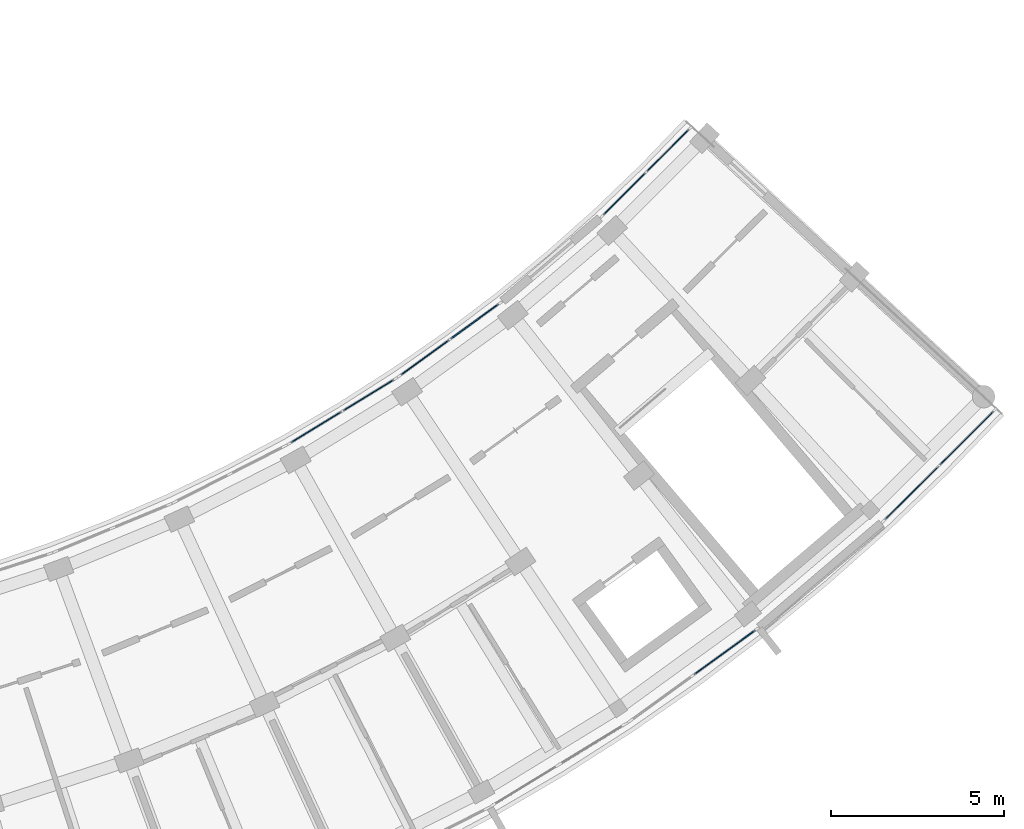
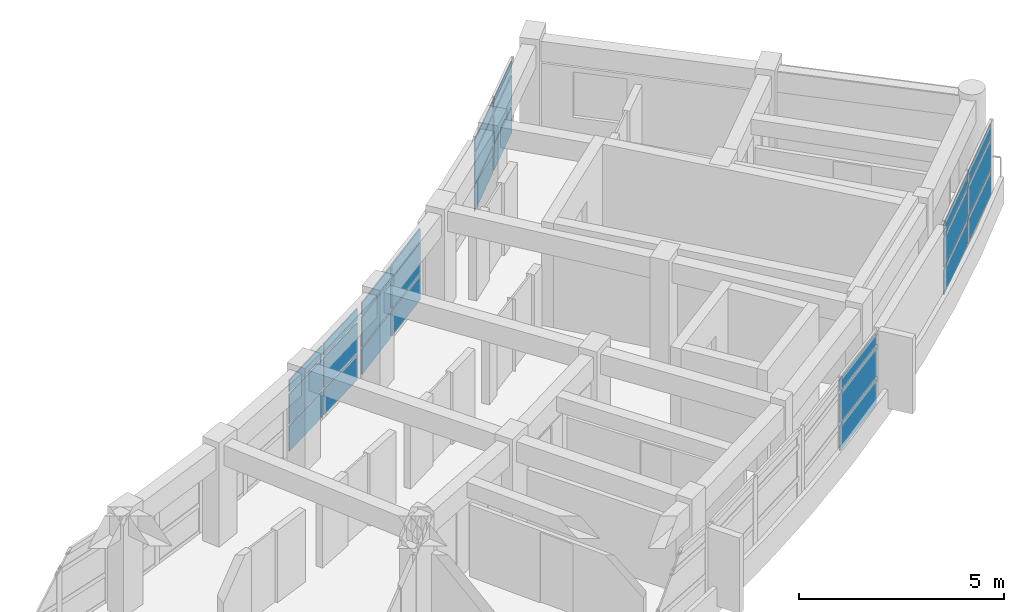
# One storey, part 26 of 54: 27 plates, 5 elements without a shape of their own.
"""IFC4 building model written with IfcOpenShell, lengths in metres."""

from ifc_helpers import new_model, si_unit, direction, frame, origin, origin_2d, place, context, subcontext, project, spatial, rectangle, extrude, material, layer, layer_set, type_object, element, aggregate, save


model = new_model("IFC4")

# Units and contexts
model_context = context("Model", 3, precision=1e-05, world=origin(), true_north=direction((0.0, 1.0)))
body_context = subcontext(model_context, "Body", "Model", "MODEL_VIEW")
ifc_project = project(units=[si_unit("LENGTHUNIT", "METRE"), si_unit("AREAUNIT", "SQUARE_METRE"), si_unit("VOLUMEUNIT", "CUBIC_METRE"), si_unit("PLANEANGLEUNIT", "RADIAN"), si_unit("MASSUNIT", "GRAM", prefix="KILO")], contexts=[model_context])

# Site, building, storey
site_placement = place(None, origin())
site = spatial("IfcSite", under=ifc_project, at=site_placement, CompositionType="ELEMENT")
building_placement = place(site_placement, origin())
building = spatial("IfcBuilding", under=site, at=building_placement, Name="Zimvara Arc Housing Community", CompositionType="ELEMENT")
storey_placement = place(building_placement, frame((0.0, 0.0, 23.60009765625)))
storey = spatial("IfcBuildingStorey", under=building, at=storey_placement, Name="L07", CompositionType="ELEMENT", Elevation=23.60009765625)

# Curtain wall, plates
ifc_material_1 = material(Name="Anodised Aluminium AW-6063", Category="aluminium")
curtain_wall_type_1 = type_object("IfcCurtainWallType", Name="CW-SYS-04", PredefinedType="USERDEFINED", material=ifc_material_1)
curtain_wall_1_placement = place(storey_placement, origin())
curtain_wall_1 = element("IfcCurtainWall", 1, at=curtain_wall_1_placement, inside=storey, type_object=curtain_wall_type_1, Name="cw:blkD:L07:in:b7", ObjectType="CURTAIN WALL", PredefinedType="USERDEFINED")
ifc_material_2 = material(Name="Pale-Gold Anodised Aluminium Spandrel Panel", Category="aluminium")
ifc_layer_1 = layer(ifc_material_2, 0.035888671875)
ifc_layer_set_1 = layer_set([ifc_layer_1], Name="Pale-Gold Anodised Aluminium Spandrel Panel")
plate_type_1 = type_object("IfcPlateType", Name="CWP-GLD-36", PredefinedType="CURTAIN_PANEL", material=ifc_layer_set_1)
plate_1_placement = place(storey_placement, frame((153.081787109375, 70.982421875, 0.06494140625), z_axis=(0.0, 0.0, 1.0), x_axis=(0.809529791362, 0.587078799564, 0.0)))
plate_1 = element("IfcPlate", 2, at=plate_1_placement, type_object=plate_type_1, Name="CW04 panel 1.1", PredefinedType="CURTAIN_PANEL", context=body_context, shape_type="SweptSolid", body=[
    extrude(rectangle(XDim=1.7041015625, YDim=0.035888671875, at=origin_2d()), origin(), (0.0, 0.0, 1.0), 0.75244140625),
])
plate_2_placement = place(storey_placement, frame((153.081787109375, 70.982421875, 0.88232421875), z_axis=(0.0, 0.0, 1.0), x_axis=(0.809529791362, 0.587078799564, 0.0)))
plate_2 = element("IfcPlate", 3, at=plate_2_placement, type_object=plate_type_1, Name="CW04 panel 1.2", PredefinedType="CURTAIN_PANEL", context=body_context, shape_type="SweptSolid", body=[
    extrude(rectangle(XDim=1.7041015625, YDim=0.035888671875, at=origin_2d()), origin(), (0.0, 0.0, 1.0), 0.885009765625),
])
plate_3_placement = place(storey_placement, frame((153.081787109375, 70.982421875, 1.832275390625), z_axis=(0.0, 0.0, 1.0), x_axis=(0.809529791362, 0.587078799564, 0.0)))
plate_3 = element("IfcPlate", 4, at=plate_3_placement, type_object=plate_type_1, Name="CW04 panel 1.3", PredefinedType="CURTAIN_PANEL", context=body_context, shape_type="SweptSolid", body=[
    extrude(rectangle(XDim=1.7041015625, YDim=0.035888671875, at=origin_2d()), origin(), (0.0, 0.0, 1.0), 0.3525390625),
])
plate_4_placement = place(storey_placement, frame((154.513916015625, 72.02099609375, 0.06494140625), z_axis=(0.0, 0.0, 1.0), x_axis=(0.809529791362, 0.587078799564, 0.0)))
plate_4 = element("IfcPlate", 5, at=plate_4_placement, type_object=plate_type_1, Name="CW04 panel 2.1", PredefinedType="CURTAIN_PANEL", context=body_context, shape_type="SweptSolid", body=[
    extrude(rectangle(XDim=1.7041015625, YDim=0.035888671875, at=origin_2d()), origin(), (0.0, 0.0, 1.0), 0.75244140625),
])
plate_5_placement = place(storey_placement, frame((154.513916015625, 72.02099609375, 0.88232421875), z_axis=(0.0, 0.0, 1.0), x_axis=(0.809529791362, 0.587078799564, 0.0)))
plate_5 = element("IfcPlate", 6, at=plate_5_placement, type_object=plate_type_1, Name="CW04 panel 2.2", PredefinedType="CURTAIN_PANEL", context=body_context, shape_type="SweptSolid", body=[
    extrude(rectangle(XDim=1.7041015625, YDim=0.035888671875, at=origin_2d()), origin(), (0.0, 0.0, 1.0), 0.885009765625),
])
plate_6_placement = place(storey_placement, frame((154.513916015625, 72.02099609375, 1.832275390625), z_axis=(0.0, 0.0, 1.0), x_axis=(0.809529791362, 0.587078799564, 0.0)))
plate_6 = element("IfcPlate", 7, at=plate_6_placement, type_object=plate_type_1, Name="CW04 panel 2.3", PredefinedType="CURTAIN_PANEL", context=body_context, shape_type="SweptSolid", body=[
    extrude(rectangle(XDim=1.7041015625, YDim=0.035888671875, at=origin_2d()), origin(), (0.0, 0.0, 1.0), 0.3525390625),
])
aggregate(curtain_wall_1, [plate_1, plate_2, plate_3, plate_4, plate_5, plate_6])

ifc_material_3 = material(Name="Anodised Aluminium AW-6063", Category="aluminium")
curtain_wall_type_2 = type_object("IfcCurtainWallType", Name="CW-SYS-05", PredefinedType="USERDEFINED", material=ifc_material_3)
curtain_wall_2_placement = place(storey_placement, origin())
curtain_wall_2 = element("IfcCurtainWall", 8, at=curtain_wall_2_placement, inside=storey, type_object=curtain_wall_type_2, Name="cw:blkD:L07:out:b9", ObjectType="CURTAIN WALL", PredefinedType="USERDEFINED")
ifc_material_4 = material(Name="Solar Control Low-E Double Glazing", Category="glass")
ifc_layer_2 = layer(ifc_material_4, 0.02392578125)
ifc_layer_set_2 = layer_set([ifc_layer_2], Name="Solar Control Low-E Double Glazing")
plate_type_2 = type_object("IfcPlateType", Name="CWP-GLZ-24", PredefinedType="CURTAIN_PANEL", material=ifc_layer_set_2)
plate_7_placement = place(storey_placement, frame((167.106689453125, 67.076904296875, 0.06494140625), z_axis=(0.0, 0.0, 1.0), x_axis=(0.707724012233, 0.706489010891, 0.0)))
plate_7 = element("IfcPlate", 9, at=plate_7_placement, type_object=plate_type_2, Name="CW05 panel 1.1", PredefinedType="CURTAIN_PANEL", context=body_context, shape_type="SweptSolid", body=[
    extrude(rectangle(XDim=2.173828125, YDim=0.02392578125, at=origin_2d()), origin(), (0.0, 0.0, 1.0), 0.75244140625),
])
plate_8_placement = place(storey_placement, frame((167.106689453125, 67.076904296875, 0.88232421875), z_axis=(0.0, 0.0, 1.0), x_axis=(0.707724012233, 0.706489010891, 0.0)))
plate_8 = element("IfcPlate", 10, at=plate_8_placement, type_object=plate_type_2, Name="CW05 panel 1.2", PredefinedType="CURTAIN_PANEL", context=body_context, shape_type="SweptSolid", body=[
    extrude(rectangle(XDim=2.173828125, YDim=0.02392578125, at=origin_2d()), origin(), (0.0, 0.0, 1.0), 0.885009765625),
])
plate_9_placement = place(storey_placement, frame((167.106689453125, 67.076904296875, 1.832275390625), z_axis=(0.0, 0.0, 1.0), x_axis=(0.707724012233, 0.706489010891, 0.0)))
plate_9 = element("IfcPlate", 11, at=plate_9_placement, type_object=plate_type_2, Name="CW05 panel 1.3", PredefinedType="CURTAIN_PANEL", context=body_context, shape_type="SweptSolid", body=[
    extrude(rectangle(XDim=2.173828125, YDim=0.02392578125, at=origin_2d()), origin(), (0.0, 0.0, 1.0), 0.3525390625),
])
plate_10_placement = place(storey_placement, frame((168.691162109375, 68.65869140625, 0.06494140625), z_axis=(0.0, 0.0, 1.0), x_axis=(0.707724012233, 0.706489010891, 0.0)))
plate_10 = element("IfcPlate", 12, at=plate_10_placement, type_object=plate_type_2, Name="CW05 panel 2.1", PredefinedType="CURTAIN_PANEL", context=body_context, shape_type="SweptSolid", body=[
    extrude(rectangle(XDim=2.173828125, YDim=0.02392578125, at=origin_2d()), origin(), (0.0, 0.0, 1.0), 0.75244140625),
])
plate_11_placement = place(storey_placement, frame((168.691162109375, 68.65869140625, 0.88232421875), z_axis=(0.0, 0.0, 1.0), x_axis=(0.707724012233, 0.706489010891, 0.0)))
plate_11 = element("IfcPlate", 13, at=plate_11_placement, type_object=plate_type_2, Name="CW05 panel 2.2", PredefinedType="CURTAIN_PANEL", context=body_context, shape_type="SweptSolid", body=[
    extrude(rectangle(XDim=2.173828125, YDim=0.02392578125, at=origin_2d()), origin(), (0.0, 0.0, 1.0), 0.885009765625),
])
plate_12_placement = place(storey_placement, frame((168.691162109375, 68.65869140625, 1.832275390625), z_axis=(0.0, 0.0, 1.0), x_axis=(0.707724012233, 0.706489010891, 0.0)))
plate_12 = element("IfcPlate", 14, at=plate_12_placement, type_object=plate_type_2, Name="CW05 panel 2.3", PredefinedType="CURTAIN_PANEL", context=body_context, shape_type="SweptSolid", body=[
    extrude(rectangle(XDim=2.173828125, YDim=0.02392578125, at=origin_2d()), origin(), (0.0, 0.0, 1.0), 0.3525390625),
])
aggregate(curtain_wall_2, [plate_7, plate_8, plate_9, plate_10, plate_11, plate_12])

ifc_material_5 = material(Name="Anodised Aluminium AW-6063", Category="aluminium")
curtain_wall_type_3 = type_object("IfcCurtainWallType", Name="CW-SYS-02", PredefinedType="USERDEFINED", material=ifc_material_5)
curtain_wall_3_placement = place(storey_placement, origin())
curtain_wall_3 = element("IfcCurtainWall", 15, at=curtain_wall_3_placement, inside=storey, type_object=curtain_wall_type_3, Name="cw:blkD:L07:in:b6", ObjectType="CURTAIN WALL", PredefinedType="USERDEFINED")
ifc_material_6 = material(Name="Solar Control Low-E Double Glazing", Category="glass")
ifc_layer_3 = layer(ifc_material_6, 0.028076171875)
ifc_layer_set_3 = layer_set([ifc_layer_3], Name="Solar Control Low-E Double Glazing")
plate_type_3 = type_object("IfcPlateType", Name="CWP-GLZ-28", PredefinedType="CURTAIN_PANEL", material=ifc_layer_set_3)
plate_13_placement = place(storey_placement, frame((149.94775390625, 68.975830078125, 0.06494140625), z_axis=(0.0, 0.0, 1.0), x_axis=(0.853096081234, 0.521753846352, 0.0)))
plate_13 = element("IfcPlate", 16, at=plate_13_placement, type_object=plate_type_3, Name="CW02 panel 1.1", PredefinedType="CURTAIN_PANEL", context=body_context, shape_type="SweptSolid", body=[
    extrude(rectangle(XDim=1.7041015625, YDim=0.028076171875, at=origin_2d()), origin(), (0.0, 0.0, 1.0), 0.75244140625),
])
plate_14_placement = place(storey_placement, frame((149.94775390625, 68.975830078125, 0.88232421875), z_axis=(0.0, 0.0, 1.0), x_axis=(0.853096081234, 0.521753846352, 0.0)))
plate_14 = element("IfcPlate", 17, at=plate_14_placement, type_object=plate_type_3, Name="CW02 panel 1.2", PredefinedType="CURTAIN_PANEL", context=body_context, shape_type="SweptSolid", body=[
    extrude(rectangle(XDim=1.7041015625, YDim=0.028076171875, at=origin_2d()), origin(), (0.0, 0.0, 1.0), 0.885009765625),
])
plate_15_placement = place(storey_placement, frame((149.94775390625, 68.975830078125, 1.832275390625), z_axis=(0.0, 0.0, 1.0), x_axis=(0.853096081234, 0.521753846352, 0.0)))
plate_15 = element("IfcPlate", 18, at=plate_15_placement, type_object=plate_type_3, Name="CW02 panel 1.3", PredefinedType="CURTAIN_PANEL", context=body_context, shape_type="SweptSolid", body=[
    extrude(rectangle(XDim=1.7041015625, YDim=0.028076171875, at=origin_2d()), origin(), (0.0, 0.0, 1.0), 0.3525390625),
])
plate_16_placement = place(storey_placement, frame((151.457275390625, 69.89892578125, 0.06494140625), z_axis=(0.0, 0.0, 1.0), x_axis=(0.853096081234, 0.521753846352, 0.0)))
plate_16 = element("IfcPlate", 19, at=plate_16_placement, type_object=plate_type_3, Name="CW02 panel 2.1", PredefinedType="CURTAIN_PANEL", context=body_context, shape_type="SweptSolid", body=[
    extrude(rectangle(XDim=1.7041015625, YDim=0.028076171875, at=origin_2d()), origin(), (0.0, 0.0, 1.0), 0.75244140625),
])
plate_17_placement = place(storey_placement, frame((151.457275390625, 69.89892578125, 0.88232421875), z_axis=(0.0, 0.0, 1.0), x_axis=(0.853096081234, 0.521753846352, 0.0)))
plate_17 = element("IfcPlate", 20, at=plate_17_placement, type_object=plate_type_3, Name="CW02 panel 2.2", PredefinedType="CURTAIN_PANEL", context=body_context, shape_type="SweptSolid", body=[
    extrude(rectangle(XDim=1.7041015625, YDim=0.028076171875, at=origin_2d()), origin(), (0.0, 0.0, 1.0), 0.885009765625),
])
plate_18_placement = place(storey_placement, frame((151.457275390625, 69.89892578125, 1.832275390625), z_axis=(0.0, 0.0, 1.0), x_axis=(0.853096081234, 0.521753846352, 0.0)))
plate_18 = element("IfcPlate", 21, at=plate_18_placement, type_object=plate_type_3, Name="CW02 panel 2.3", PredefinedType="CURTAIN_PANEL", context=body_context, shape_type="SweptSolid", body=[
    extrude(rectangle(XDim=1.7041015625, YDim=0.028076171875, at=origin_2d()), origin(), (0.0, 0.0, 1.0), 0.3525390625),
])
aggregate(curtain_wall_3, [plate_13, plate_14, plate_15, plate_16, plate_17, plate_18])

ifc_material_7 = material(Name="Anodised Aluminium AW-6063", Category="aluminium")
curtain_wall_type_4 = type_object("IfcCurtainWallType", Name="CW-SYS-06", PredefinedType="USERDEFINED", material=ifc_material_7)
curtain_wall_4_placement = place(storey_placement, origin())
curtain_wall_4 = element("IfcCurtainWall", 22, at=curtain_wall_4_placement, inside=storey, type_object=curtain_wall_type_4, Name="cw:blkD:L07:in:b9", ObjectType="CURTAIN WALL", PredefinedType="USERDEFINED")
plate_19_placement = place(storey_placement, frame((158.829833984375, 75.70068359375, 0.06494140625), z_axis=(0.0, 0.0, 1.0), x_axis=(0.7077239846, 0.706489038572, 0.0)))
plate_19 = element("IfcPlate", 23, at=plate_19_placement, type_object=plate_type_3, Name="CW06 panel 1.1", PredefinedType="CURTAIN_PANEL", context=body_context, shape_type="SweptSolid", body=[
    extrude(rectangle(XDim=1.7041015625, YDim=0.028076171875, at=origin_2d()), origin(), (0.0, 0.0, 1.0), 0.75244140625),
])
plate_20_placement = place(storey_placement, frame((158.829833984375, 75.70068359375, 0.88232421875), z_axis=(0.0, 0.0, 1.0), x_axis=(0.7077239846, 0.706489038572, 0.0)))
plate_20 = element("IfcPlate", 24, at=plate_20_placement, type_object=plate_type_3, Name="CW06 panel 1.2", PredefinedType="CURTAIN_PANEL", context=body_context, shape_type="SweptSolid", body=[
    extrude(rectangle(XDim=1.7041015625, YDim=0.028076171875, at=origin_2d()), origin(), (0.0, 0.0, 1.0), 0.885009765625),
])
plate_21_placement = place(storey_placement, frame((158.829833984375, 75.70068359375, 1.832275390625), z_axis=(0.0, 0.0, 1.0), x_axis=(0.7077239846, 0.706489038572, 0.0)))
plate_21 = element("IfcPlate", 25, at=plate_21_placement, type_object=plate_type_3, Name="CW06 panel 1.3", PredefinedType="CURTAIN_PANEL", context=body_context, shape_type="SweptSolid", body=[
    extrude(rectangle(XDim=1.7041015625, YDim=0.028076171875, at=origin_2d()), origin(), (0.0, 0.0, 1.0), 0.3525390625),
])
plate_22_placement = place(storey_placement, frame((160.08203125, 76.95068359375, 0.06494140625), z_axis=(0.0, 0.0, 1.0), x_axis=(0.7077239846, 0.706489038572, 0.0)))
plate_22 = element("IfcPlate", 26, at=plate_22_placement, type_object=plate_type_3, Name="CW06 panel 2.1", PredefinedType="CURTAIN_PANEL", context=body_context, shape_type="SweptSolid", body=[
    extrude(rectangle(XDim=1.7041015625, YDim=0.028076171875, at=origin_2d()), origin(), (0.0, 0.0, 1.0), 0.75244140625),
])
plate_23_placement = place(storey_placement, frame((160.08203125, 76.95068359375, 0.88232421875), z_axis=(0.0, 0.0, 1.0), x_axis=(0.7077239846, 0.706489038572, 0.0)))
plate_23 = element("IfcPlate", 27, at=plate_23_placement, type_object=plate_type_3, Name="CW06 panel 2.2", PredefinedType="CURTAIN_PANEL", context=body_context, shape_type="SweptSolid", body=[
    extrude(rectangle(XDim=1.7041015625, YDim=0.028076171875, at=origin_2d()), origin(), (0.0, 0.0, 1.0), 0.885009765625),
])
plate_24_placement = place(storey_placement, frame((160.08203125, 76.95068359375, 1.832275390625), z_axis=(0.0, 0.0, 1.0), x_axis=(0.7077239846, 0.706489038572, 0.0)))
plate_24 = element("IfcPlate", 28, at=plate_24_placement, type_object=plate_type_3, Name="CW06 panel 2.3", PredefinedType="CURTAIN_PANEL", context=body_context, shape_type="SweptSolid", body=[
    extrude(rectangle(XDim=1.7041015625, YDim=0.028076171875, at=origin_2d()), origin(), (0.0, 0.0, 1.0), 0.3525390625),
])
aggregate(curtain_wall_4, [plate_19, plate_20, plate_21, plate_22, plate_23, plate_24])

ifc_material_8 = material(Name="Anodised Aluminium AW-6063", Category="aluminium")
curtain_wall_type_5 = type_object("IfcCurtainWallType", Name="CW-SYS-03", PredefinedType="USERDEFINED", material=ifc_material_8)
curtain_wall_5_placement = place(storey_placement, origin())
curtain_wall_5 = element("IfcCurtainWall", 29, at=curtain_wall_5_placement, inside=storey, type_object=curtain_wall_type_5, Name="cw:blkD:L07:out:b7", ObjectType="CURTAIN WALL", PredefinedType="USERDEFINED")
ifc_material_9 = material(Name="Acoustic Laminated Solar Glazing", Category="glass")
ifc_layer_4 = layer(ifc_material_9, 0.031982421875)
ifc_layer_set_4 = layer_set([ifc_layer_4], Name="Acoustic Laminated Solar Glazing")
plate_type_4 = type_object("IfcPlateType", Name="CWP-GLZ-32", PredefinedType="CURTAIN_PANEL", material=ifc_layer_set_4)
plate_25_placement = place(storey_placement, frame((161.719970703125, 62.484375, 0.06494140625), z_axis=(0.0, 0.0, 1.0), x_axis=(0.809530431263, 0.587077917196, 0.0)))
plate_25 = element("IfcPlate", 30, at=plate_25_placement, type_object=plate_type_4, Name="CW03 panel 2.1", PredefinedType="CURTAIN_PANEL", context=body_context, shape_type="SweptSolid", body=[
    extrude(rectangle(XDim=2.173828125, YDim=0.031982421875, at=origin_2d()), origin(), (0.0, 0.0, 1.0), 0.75244140625),
])
plate_26_placement = place(storey_placement, frame((161.719970703125, 62.484375, 0.88232421875), z_axis=(0.0, 0.0, 1.0), x_axis=(0.809530431263, 0.587077917196, 0.0)))
plate_26 = element("IfcPlate", 31, at=plate_26_placement, type_object=plate_type_4, Name="CW03 panel 2.2", PredefinedType="CURTAIN_PANEL", context=body_context, shape_type="SweptSolid", body=[
    extrude(rectangle(XDim=2.173828125, YDim=0.031982421875, at=origin_2d()), origin(), (0.0, 0.0, 1.0), 0.885009765625),
])
plate_27_placement = place(storey_placement, frame((161.719970703125, 62.484375, 1.832275390625), z_axis=(0.0, 0.0, 1.0), x_axis=(0.809530431263, 0.587077917196, 0.0)))
plate_27 = element("IfcPlate", 32, at=plate_27_placement, type_object=plate_type_4, Name="CW03 panel 2.3", PredefinedType="CURTAIN_PANEL", context=body_context, shape_type="SweptSolid", body=[
    extrude(rectangle(XDim=2.173828125, YDim=0.031982421875, at=origin_2d()), origin(), (0.0, 0.0, 1.0), 0.3525390625),
])
aggregate(curtain_wall_5, [plate_25, plate_26, plate_27])

save(model, "model.ifc")
